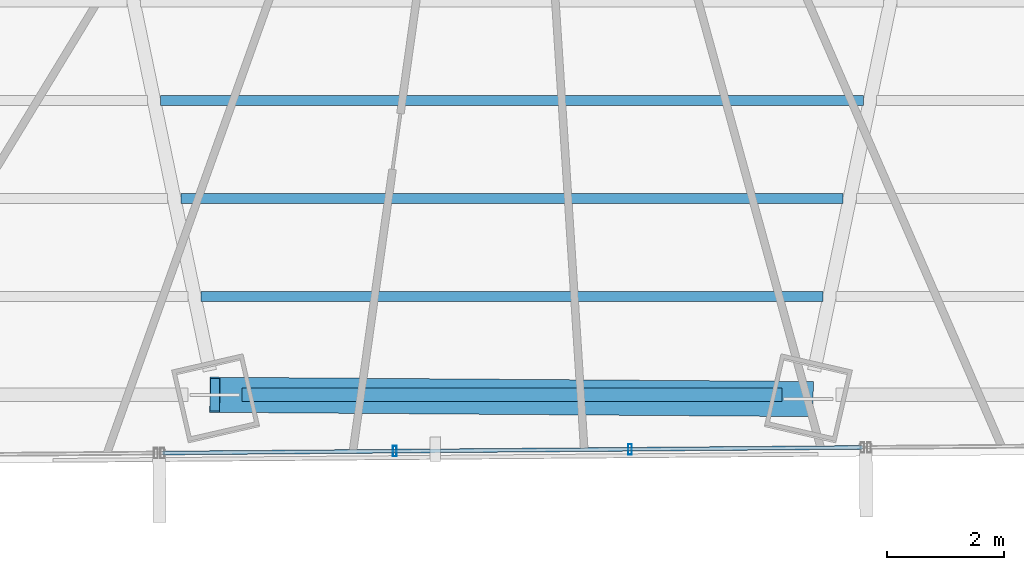
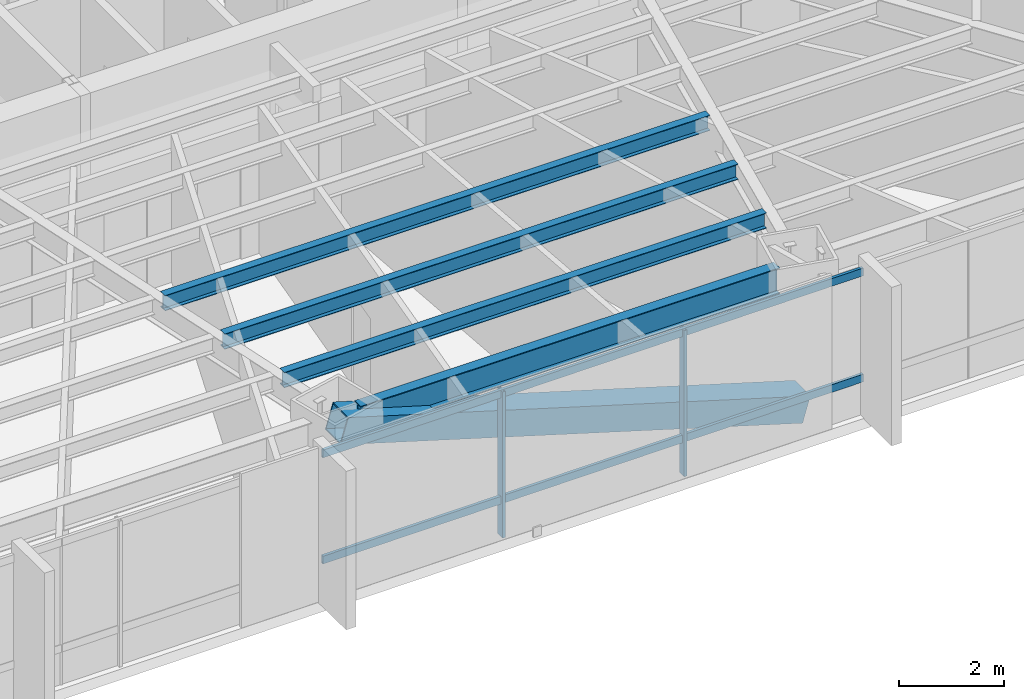
# One storey, part 9 of 38: 5 members, 4 beams, 1 element without a shape of its own.
"""IFC4 building model written with IfcOpenShell, lengths in metres."""

from ifc_helpers import new_model, si_unit, direction, frame, origin, origin_2d, place, context, subcontext, project, spatial, hollow_rectangle, i_section, extrude, source, transform, mapped, material, material_profile, profile_set, type_object, type_shapes, element, aggregate, save


model = new_model("IFC4")

# Units and contexts
model_context = context("Model", 3, precision=1e-05, world=origin(), true_north=direction((0.0, 1.0)))
body_context = subcontext(model_context, "Body", "Model", "MODEL_VIEW")
ifc_project = project(units=[si_unit("LENGTHUNIT", "METRE"), si_unit("AREAUNIT", "SQUARE_METRE"), si_unit("VOLUMEUNIT", "CUBIC_METRE"), si_unit("PLANEANGLEUNIT", "RADIAN"), si_unit("MASSUNIT", "GRAM", prefix="KILO")], contexts=[model_context])

# Site, building, storey
site_placement = place(None, origin())
site = spatial("IfcSite", under=ifc_project, at=site_placement, CompositionType="ELEMENT")
building_placement = place(site_placement, origin())
building = spatial("IfcBuilding", under=site, at=building_placement, Name="Caelisora Broadcast Tower", CompositionType="ELEMENT")
storey_placement = place(building_placement, frame((0.0, 0.0, 67.75)))
storey = spatial("IfcBuildingStorey", under=building, at=storey_placement, Name="L17", CompositionType="ELEMENT", Elevation=67.75)

# Beams
ifc_material_1 = material(Name="Steel Grade 350 (AS/NZS 3679.1)", Category="steel")
ifc_material_profile_1 = material_profile(ifc_material_1, i_section(OverallWidth=0.22900390625, OverallDepth=0.611572265625, WebThickness=0.011962890625, FlangeThickness=0.01953125, at=origin_2d()), Name="Steel Grade 350 (AS/NZS 3679.1)")
ifc_profile_set_1 = profile_set([ifc_material_profile_1], Name="Steel Grade 350 (AS/NZS 3679.1)")
beam_type_1 = type_object("IfcBeamType", Name="PG03", PredefinedType="BEAM", material=ifc_profile_set_1)
shared_shape_1 = source(origin(), body_context, "Body", "SweptSolid", [
    extrude(i_section(OverallWidth=0.22900390625, OverallDepth=0.611572265625, WebThickness=0.011962890625, FlangeThickness=0.01953125, at=origin_2d()), origin(), (0.0, 0.0, 1.0), 9.22802734375),
])
type_shapes(beam_type_1, [shared_shape_1])
beam_1_placement = place(storey_placement, frame((33.385986328125, 5.66748046875, 3.09423828125), z_axis=(1.0, 0.0, 0.0), x_axis=(0.0, 1.0, 0.0)))
element("IfcBeam", 1, at=beam_1_placement, inside=storey, type_object=beam_type_1, Name="L17 beam PG03", PredefinedType="BEAM", context=body_context, shape_type="MappedRepresentation", body=[
    mapped(shared_shape_1, transform((0.0, 0.0, 0.0), scale=1.0)),
])
ifc_material_profile_2 = material_profile(ifc_material_1, i_section(OverallWidth=0.172119140625, OverallDepth=0.358642578125, WebThickness=0.008056640625, FlangeThickness=0.012939453125, at=origin_2d()), Name="Steel Grade 350 (AS/NZS 3679.1)")
ifc_profile_set_2 = profile_set([ifc_material_profile_2], Name="Steel Grade 350 (AS/NZS 3679.1)")
beam_type_2 = type_object("IfcBeamType", Name="SB02", PredefinedType="JOIST", material=ifc_profile_set_2)
shared_shape_2 = source(origin(), body_context, "Body", "SweptSolid", [
    extrude(i_section(OverallWidth=0.172119140625, OverallDepth=0.358642578125, WebThickness=0.008056640625, FlangeThickness=0.012939453125, at=origin_2d()), origin(), (0.0, 0.0, 1.0), 12.0009765625),
])
beam_2_placement = place(storey_placement, frame((31.99951171875, 10.69580078125, 3.220703125), z_axis=(1.0, 0.0, 0.0), x_axis=(0.0, 1.0, 0.0)))
element("IfcBeam", 2, at=beam_2_placement, inside=storey, type_object=beam_type_2, Name="L17 beam SB02", PredefinedType="JOIST", context=body_context, shape_type="MappedRepresentation", body=[
    mapped(shared_shape_2, transform((0.0, 0.0, 0.0), scale=1.0)),
])
shared_shape_3 = source(origin(), body_context, "Body", "SweptSolid", [
    extrude(i_section(OverallWidth=0.172119140625, OverallDepth=0.358642578125, WebThickness=0.008056640625, FlangeThickness=0.012939453125, at=origin_2d()), origin(), (0.0, 0.0, 1.0), 11.3076171875),
])
beam_3_placement = place(storey_placement, frame((32.34619140625, 9.019775390625, 3.220703125), z_axis=(1.0, 0.0, 0.0), x_axis=(0.0, 1.0, 0.0)))
element("IfcBeam", 3, at=beam_3_placement, inside=storey, type_object=beam_type_2, Name="L17 beam SB02", PredefinedType="JOIST", context=body_context, shape_type="MappedRepresentation", body=[
    mapped(shared_shape_3, transform((0.0, 0.0, 0.0), scale=1.0)),
])
shared_shape_4 = source(origin(), body_context, "Body", "SweptSolid", [
    extrude(i_section(OverallWidth=0.172119140625, OverallDepth=0.358642578125, WebThickness=0.008056640625, FlangeThickness=0.012939453125, at=origin_2d()), origin(), (0.0, 0.0, 1.0), 10.61474609375),
])
type_shapes(beam_type_2, [shared_shape_2, shared_shape_3, shared_shape_4])
beam_4_placement = place(storey_placement, frame((32.692626953125, 7.34375, 3.220703125), z_axis=(1.0, 0.0, 0.0), x_axis=(0.0, 1.0, 0.0)))
element("IfcBeam", 4, at=beam_4_placement, inside=storey, type_object=beam_type_2, Name="L17 beam SB02", PredefinedType="JOIST", context=body_context, shape_type="MappedRepresentation", body=[
    mapped(shared_shape_4, transform((0.0, 0.0, 0.0), scale=1.0)),
])

# Member
ifc_material_2 = material(Name="Steel Grade 450 L15 (AS/NZS 3678)", Category="steel")
ifc_material_profile_3 = material_profile(ifc_material_2, hollow_rectangle(XDim=0.60009765625, YDim=0.60009765625, WallThickness=0.02490234375, at=origin_2d()), Name="Steel Grade 450 L15 (AS/NZS 3678)")
ifc_profile_set_3 = profile_set([ifc_material_profile_3], Name="Steel Grade 450 L15 (AS/NZS 3678)")
member_type_1 = type_object("IfcMemberType", Name="BR01", PredefinedType="BRACE", material=ifc_profile_set_3)
shared_shape_5 = source(origin(), body_context, "Body", "SweptSolid", [
    extrude(hollow_rectangle(XDim=0.60009765625, YDim=0.60009765625, WallThickness=0.02490234375, at=origin_2d()), origin(), (0.0, 0.0, 1.0), 10.56689453125),
])
type_shapes(member_type_1, [shared_shape_5])
member_1_placement = place(storey_placement, frame((32.92578125, 5.66748046875, 3.10009765625), z_axis=(0.958827885142, -0.006838868771, -0.283905471148), x_axis=(0.007132348701, 0.999974564478, 0.0)))
element("IfcMember", 5, at=member_1_placement, inside=storey, type_object=member_type_1, Name="L17 perimeter brace BR01", PredefinedType="BRACE", context=body_context, shape_type="MappedRepresentation", body=[
    mapped(shared_shape_5, transform((0.0, 0.0, 0.0), scale=1.0)),
])

# Curtain wall, members
ifc_material_3 = material(Name="Unitised Aluminium Insulated Shadow-Box Spandrel Curtain Wall", Category="aluminium")
curtain_wall_type = type_object("IfcCurtainWallType", Name="CW-SP1", PredefinedType="NOTDEFINED", material=ifc_material_3)
curtain_wall_placement = place(storey_placement, origin())
curtain_wall = element("IfcCurtainWall", 6, at=curtain_wall_placement, inside=storey, type_object=curtain_wall_type, Name="L17 curtain wall CW-SP1", PredefinedType="NOTDEFINED")
ifc_material_4 = material(Name="Aluminium 6063-T6 Anodised Terracotta Bronze", Category="aluminium")
ifc_material_profile_4 = material_profile(ifc_material_4, hollow_rectangle(XDim=0.06494140625, YDim=0.179931640625, WallThickness=0.00341796875, at=origin_2d()), Name="Aluminium 6063-T6 Anodised Terracotta Bronze")
ifc_profile_set_4 = profile_set([ifc_material_profile_4], Name="Aluminium 6063-T6 Anodised Terracotta Bronze")
member_type_2 = type_object("IfcMemberType", Name="CWM-02", PredefinedType="MULLION", material=ifc_profile_set_4)
shared_shape_6 = source(origin(), body_context, "Body", "SweptSolid", [
    extrude(hollow_rectangle(XDim=0.06494140625, YDim=0.179931640625, WallThickness=0.00341796875, at=origin_2d()), origin(), (0.0, 0.0, 1.0), 3.39990234375),
])
type_shapes(member_type_2, [shared_shape_6])
member_2_placement = place(storey_placement, frame((40.01611328125, 4.737060546875, 0.0), z_axis=(0.0, 0.0, 1.0), x_axis=(1.0, 0.0, 0.0)))
member_2 = element("IfcMember", 7, at=member_2_placement, type_object=member_type_2, Name="L17-CW-B06 mullion #1", PredefinedType="MULLION", context=body_context, shape_type="MappedRepresentation", body=[
    mapped(shared_shape_6, transform((0.0, 0.0, 0.0), scale=1.0)),
])
member_3_placement = place(storey_placement, frame((35.997802734375, 4.705078125, 0.0), z_axis=(0.0, 0.0, 1.0), x_axis=(1.0, 0.0, 0.0)))
member_3 = element("IfcMember", 8, at=member_3_placement, type_object=member_type_2, Name="L17-CW-B06 mullion #2", PredefinedType="MULLION", context=body_context, shape_type="MappedRepresentation", body=[
    mapped(shared_shape_6, transform((0.0, 0.0, 0.0), scale=1.0)),
])
ifc_material_profile_5 = material_profile(ifc_material_4, hollow_rectangle(XDim=0.06494140625, YDim=0.179931640625, WallThickness=0.00341796875, at=origin_2d()), Name="Aluminium 6063-T6 Anodised Terracotta Bronze")
ifc_profile_set_5 = profile_set([ifc_material_profile_5], Name="Aluminium 6063-T6 Anodised Terracotta Bronze")
member_type_3 = type_object("IfcMemberType", Name="CWT-01", PredefinedType="USERDEFINED", material=ifc_profile_set_5)
shared_shape_7 = source(origin(), body_context, "Body", "SweptSolid", [
    extrude(hollow_rectangle(XDim=0.06494140625, YDim=0.179931640625, WallThickness=0.00341796875, at=origin_2d()), origin(), (0.0, 0.0, 1.0), 11.955078125),
])
type_shapes(member_type_3, [shared_shape_7])
member_4_placement = place(storey_placement, frame((43.984375, 4.768798828125, 0.85009765625), z_axis=(-0.999967957086, -0.008005298354, 0.0), x_axis=(0.008005298354, -0.999967957086, 0.0)))
member_4 = element("IfcMember", 9, at=member_4_placement, type_object=member_type_3, Name="L17-CW-B06 transom #1", ObjectType="TRANSOM", PredefinedType="USERDEFINED", context=body_context, shape_type="MappedRepresentation", body=[
    mapped(shared_shape_7, transform((0.0, 0.0, 0.0), scale=1.0)),
])
member_5_placement = place(storey_placement, frame((43.984375, 4.768798828125, 3.320068359375), z_axis=(-0.999967957086, -0.008005298354, 0.0), x_axis=(0.008005298354, -0.999967957086, 0.0)))
member_5 = element("IfcMember", 10, at=member_5_placement, type_object=member_type_3, Name="L17-CW-B06 transom #2", ObjectType="TRANSOM", PredefinedType="USERDEFINED", context=body_context, shape_type="MappedRepresentation", body=[
    mapped(shared_shape_7, transform((0.0, 0.0, 0.0), scale=1.0)),
])
aggregate(curtain_wall, [member_2, member_3, member_4, member_5])

save(model, "model.ifc")
